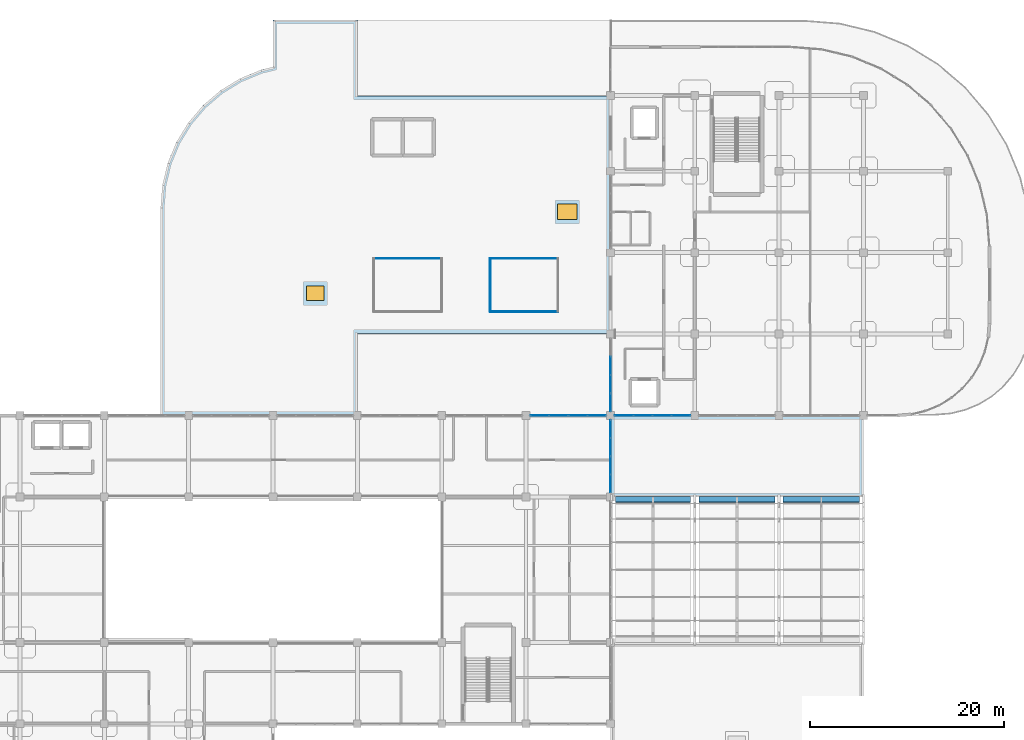
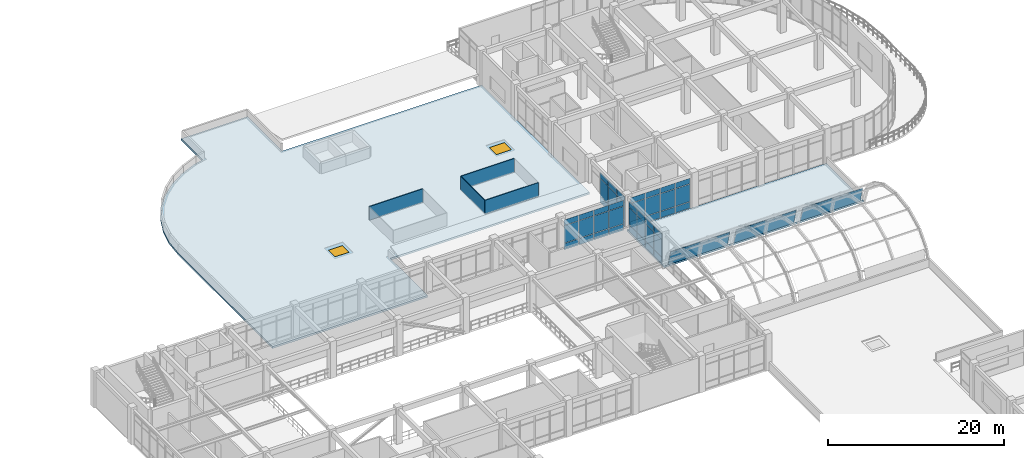
# One storey, part 98 of 124: 52 plates, 2 slabs, 2 windows, 2 openings, 4 elements without a shape of their own.
"""IFC4 building model written with IfcOpenShell, lengths in metres."""

from ifc_helpers import new_model, si_unit, derived_unit, direction, frame, origin, origin_2d, place, context, subcontext, project, spatial, polyline, rectangle, outline, extrude, material, layer, layer_set, type_object, element, fill, aggregate, save


model = new_model("IFC4")

# Units and contexts
model_context = context("Model", 3, precision=1e-05, world=origin(), true_north=direction((0.0, 1.0)))
body_context = subcontext(model_context, "Body", "Model", "MODEL_VIEW")
ifc_project = project(units=[si_unit("LENGTHUNIT", "METRE"), si_unit("AREAUNIT", "SQUARE_METRE"), si_unit("VOLUMEUNIT", "CUBIC_METRE"), si_unit("PLANEANGLEUNIT", "RADIAN"), si_unit("MASSUNIT", "GRAM", prefix="KILO"), derived_unit("THERMALTRANSMITTANCEUNIT", [(si_unit("MASSUNIT", "GRAM", prefix="KILO"), 1), (si_unit("TIMEUNIT", "SECOND"), -3), (si_unit("THERMODYNAMICTEMPERATUREUNIT", "KELVIN"), -1)])], contexts=[model_context])

# Site, building, storey
site_placement = place(None, origin())
site = spatial("IfcSite", under=ifc_project, at=site_placement, CompositionType="ELEMENT")
building_placement = place(site_placement, origin())
building = spatial("IfcBuilding", under=site, at=building_placement, Name="Qinzheling Arcade Emporium", CompositionType="ELEMENT")
storey_placement = place(building_placement, frame((0.0, 0.0, 16.5)))
storey = spatial("IfcBuildingStorey", under=building, at=storey_placement, Name="L04", CompositionType="ELEMENT", Elevation=16.5)

# Plates
ifc_material_1 = material(Name="Mineral-wool-lined perforated aluminium acoustic panel", Category="aluminium")
ifc_layer_1 = layer(ifc_material_1, 0.074951171875, Name="Mineral-wool-lined perforated aluminium acoustic panel", Category="aluminium")
ifc_layer_set_1 = layer_set([ifc_layer_1], Name="Mineral-wool-lined perforated aluminium acoustic panel")
plate_type_1 = type_object("IfcPlateType", Name="Acoustic Roof Plant Screen Panel 75mm", PredefinedType="USERDEFINED", material=ifc_layer_set_1)
plate_1_placement = place(storey_placement, frame((95.5, 84.5, 0.0), z_axis=(0.0, 0.0, 1.0), x_axis=(1.0, 0.0, 0.0)))
element("IfcPlate", 1, at=plate_1_placement, inside=storey, type_object=plate_type_1, Name="Acoustic Plant Screen PLT-APS-L04-05", ObjectType="PLANT_SCREEN", PredefinedType="USERDEFINED", context=body_context, shape_type="SweptSolid", body=[
    extrude(rectangle(XDim=7.0, YDim=0.074951171875, at=origin_2d()), origin(), (0.0, 0.0, 1.0), 1.89990234375),
])
ifc_layer_2 = layer(ifc_material_1, 0.0849609375, Name="Mineral-wool-lined perforated aluminium acoustic panel", Category="aluminium")
ifc_layer_set_2 = layer_set([ifc_layer_2], Name="Mineral-wool-lined perforated aluminium acoustic panel")
plate_type_2 = type_object("IfcPlateType", Name="Acoustic Roof Plant Screen Panel 85mm", PredefinedType="USERDEFINED", material=ifc_layer_set_2)
for number, where, z_axis, x_axis, name in (
    (2, (83.5, 90.0, 0.0), (0.0, 0.0, 1.0), (1.0, 0.0, 0.0), "Acoustic Plant Screen PLT-APS-L04-02"),
    (3, (95.5, 90.0, 0.0), (0.0, 0.0, 1.0), (1.0, 0.0, 0.0), "Acoustic Plant Screen PLT-APS-L04-06"),
):
    element("IfcPlate", number, at=place(storey_placement, frame(where, z_axis=z_axis, x_axis=x_axis)), inside=storey, type_object=plate_type_2, Name=name, ObjectType="PLANT_SCREEN", PredefinedType="USERDEFINED", context=body_context, shape_type="SweptSolid", body=[
        extrude(rectangle(XDim=7.0, YDim=0.0849609375, at=origin_2d()), origin(), (0.0, 0.0, 1.0), 1.89990234375),
    ])
ifc_layer_3 = layer(ifc_material_1, 0.094970703125, Name="Mineral-wool-lined perforated aluminium acoustic panel", Category="aluminium")
ifc_layer_set_3 = layer_set([ifc_layer_3], Name="Mineral-wool-lined perforated aluminium acoustic panel")
plate_type_3 = type_object("IfcPlateType", Name="Acoustic Roof Plant Screen Panel 95mm", PredefinedType="USERDEFINED", material=ifc_layer_set_3)
plate_2_placement = place(storey_placement, frame((92.0, 87.25, 0.0), z_axis=(0.0, 0.0, 1.0), x_axis=(0.0, 1.0, 0.0)))
element("IfcPlate", 4, at=plate_2_placement, inside=storey, type_object=plate_type_3, Name="Acoustic Plant Screen PLT-APS-L04-07", ObjectType="PLANT_SCREEN", PredefinedType="USERDEFINED", context=body_context, shape_type="SweptSolid", body=[
    extrude(rectangle(XDim=5.5, YDim=0.094970703125, at=origin_2d()), origin(), (0.0, 0.0, 1.0), 1.89990234375),
])
ifc_material_2 = material(Name="Ceramic-fritted laminated skylight glass", Category="glass")
ifc_layer_4 = layer(ifc_material_2, 0.032958984375, Name="Ceramic-fritted laminated skylight glass", Category="glass")
ifc_layer_set_4 = layer_set([ifc_layer_4], Name="Ceramic-fritted laminated skylight glass")
plate_type_4 = type_object("IfcPlateType", Name="Barrel Vault Skylight Roof Panel 33mm", PredefinedType="USERDEFINED", material=ifc_layer_set_4)
plate_3_placement = place(storey_placement, frame((104.93994140625, 64.861083984375, 2.15087890625), z_axis=(0.0, 0.966304342063, 0.257402250398), x_axis=(1.0, 0.0, 0.0)))
element("IfcPlate", 5, at=plate_3_placement, inside=storey, type_object=plate_type_4, Name="Barrel Vault Skylight Roof Panel SKP-ARCADE-B01-S08", ObjectType="SKYLIGHT_PANEL", PredefinedType="USERDEFINED", context=body_context, shape_type="SweptSolid", body=[
    extrude(outline(polyline([(0.0, 0.0), (7.739990234375, 0.0), (7.739990234375, 2.217543865165663), (0.0, 2.217543865165663), (0.0, 0.0)])), origin(), (0.0, 0.0, -1.0), 0.032958984375),
])
plate_4_placement = place(storey_placement, frame((113.52001953125, 64.861083984375, 2.15087890625), z_axis=(0.0, 0.966304342063, 0.257402250398), x_axis=(1.0, 0.0, 0.0)))
element("IfcPlate", 6, at=plate_4_placement, inside=storey, type_object=plate_type_4, Name="Barrel Vault Skylight Roof Panel SKP-ARCADE-B02-S08", ObjectType="SKYLIGHT_PANEL", PredefinedType="USERDEFINED", context=body_context, shape_type="SweptSolid", body=[
    extrude(outline(polyline([(0.0, 0.0), (7.85986328125, 0.0), (7.85986328125, 2.217543865165663), (0.0, 2.217543865165663), (0.0, 0.0)])), origin(), (0.0, 0.0, -1.0), 0.032958984375),
])
plate_5_placement = place(storey_placement, frame((122.219970703125, 64.861083984375, 2.15087890625), z_axis=(0.0, 0.966304342063, 0.257402250398), x_axis=(1.0, 0.0, 0.0)))
element("IfcPlate", 7, at=plate_5_placement, inside=storey, type_object=plate_type_4, Name="Barrel Vault Skylight Roof Panel SKP-ARCADE-B03-S08", ObjectType="SKYLIGHT_PANEL", PredefinedType="USERDEFINED", context=body_context, shape_type="SweptSolid", body=[
    extrude(outline(polyline([(0.0, 0.0), (7.860107421875, 0.0), (7.860107421875, 2.217543865165663), (0.0, 2.217543865165663), (0.0, 0.0)])), origin(), (0.0, 0.0, -1.0), 0.032958984375),
])

# Slab
ifc_material_3 = material(Name="Concrete C40", Category="concrete")
ifc_layer_5 = layer(ifc_material_3, 0.239990234375, Name="Concrete C40", Category="concrete")
ifc_layer_set_5 = layer_set([ifc_layer_5], Name="Concrete C40")
slab_type_1 = type_object("IfcSlabType", Name="Insulated Flat Roof Slab 240 C40", PredefinedType="ROOF", material=ifc_layer_set_5)
slab_1_placement = place(storey_placement, frame((0.0, 0.0, -0.239990234375)))
element("IfcSlab", 8, at=slab_1_placement, inside=storey, type_object=slab_type_1, Name="Roof Slab SLB-RF-V3N", PredefinedType="ROOF", context=body_context, shape_type="SweptSolid", body=[
    extrude(outline(polyline([(130.5, 65.39990234375), (130.5, 73.800048828125), (104.39990234375, 73.800048828125), (104.39990234375, 65.39990234375), (130.5, 65.39990234375)])), origin(), (0.0, 0.0, 1.0), 0.239990234375),
])

# Slab, openings, windows
ifc_layer_6 = layer(ifc_material_3, 0.260009765625, Name="Concrete C40", Category="concrete")
ifc_layer_set_6 = layer_set([ifc_layer_6], Name="Concrete C40")
slab_type_2 = type_object("IfcSlabType", Name="Logistics Acoustic Roof Slab 260 C40", PredefinedType="ROOF", material=ifc_layer_set_6)
slab_2_placement = place(storey_placement, frame((0.0, 0.0, -0.260009765625)))
slab_2 = element("IfcSlab", 9, at=slab_2_placement, inside=storey, type_object=slab_type_2, Name="Roof Slab SLB-RF-V5", PredefinedType="ROOF", context=body_context, shape_type="SweptSolid", body=[
    extrude(outline(polyline([(78.300048828125, 73.800048828125), (78.300048828125, 82.25), (104.39990234375, 82.25), (104.39990234375, 106.75), (78.300048828125, 106.75), (78.300048828125, 114.60009765625), (69.60009765625, 114.60009765625), (69.60009765625, 109.761962890625), (68.364990234375, 109.466064453125), (66.18994140625, 108.56494140625), (64.18310546875, 107.3349609375), (62.39306640625, 105.806884765625), (60.864990234375, 104.01708984375), (59.635009765625, 102.010009765625), (58.73388671875, 99.8349609375), (58.18505859375, 97.547119140625), (58.0, 95.199951171875), (58.0, 73.800048828125), (69.60009765625, 73.800048828125), (78.300048828125, 73.800048828125)])), origin(), (0.0, 0.0, 1.0), 0.260009765625),
])
opening_1_placement = place(slab_2_placement, frame((73.949951171875, 86.39990234375, -0.010009765625)))
opening_1 = element("IfcOpeningElement", 10, at=opening_1_placement, cuts=slab_2, Name="Opening RH03", PredefinedType="OPENING", context=body_context, shape_type="SweptSolid", body=[
    extrude(rectangle(XDim=1.800048828125, YDim=1.5, at=origin_2d()), origin(), (0.0, 0.0, 1.0), 0.280029296875),
])
opening_2_placement = place(slab_2_placement, frame((99.949951171875, 94.800048828125, -0.010009765625)))
opening_2 = element("IfcOpeningElement", 11, at=opening_2_placement, cuts=slab_2, Name="Opening RH04", PredefinedType="OPENING", context=body_context, shape_type="SweptSolid", body=[
    extrude(rectangle(XDim=2.0, YDim=1.60009765625, at=origin_2d()), origin(), (0.0, 0.0, 1.0), 0.280029296875),
])
ifc_material_4 = material(Name="Insulated aluminium skylight hatch", Category="aluminium")
window_type_1 = type_object("IfcWindowType", Name="Insulated Roof Smoke and Access Hatch 1800x1500", PartitioningType="SINGLE_PANEL", PredefinedType="SKYLIGHT", material=ifc_material_4)
window_1_placement = place(opening_1_placement, frame((0.0, 0.0, 0.219970703125)))
window_1 = element("IfcWindow", 12, at=window_1_placement, inside=storey, type_object=window_type_1, Name="RH03 Roof Hatch RHT-L04-02", OverallHeight=1.5, OverallWidth=1.800048828125, PartitioningType="SINGLE_PANEL", PredefinedType="SKYLIGHT", context=body_context, shape_type="SweptSolid", body=[
    extrude(rectangle(XDim=1.800048828125, YDim=1.5, at=origin_2d()), origin(), (0.0, 0.0, 1.0), 0.050048828125),
])
fill(opening_1, window_1)
window_type_2 = type_object("IfcWindowType", Name="Insulated Roof Smoke and Access Hatch 2000x1600", PartitioningType="SINGLE_PANEL", PredefinedType="SKYLIGHT", material=ifc_material_4)
window_2_placement = place(opening_2_placement, frame((0.0, 0.0, 0.219970703125)))
window_2 = element("IfcWindow", 13, at=window_2_placement, inside=storey, type_object=window_type_2, Name="RH04 Roof Hatch RHT-L04-03", OverallHeight=1.60009765625, OverallWidth=2.0, PartitioningType="SINGLE_PANEL", PredefinedType="SKYLIGHT", context=body_context, shape_type="SweptSolid", body=[
    extrude(rectangle(XDim=2.0, YDim=1.60009765625, at=origin_2d()), origin(), (0.0, 0.0, 1.0), 0.050048828125),
])
fill(opening_2, window_2)

# Curtain wall, plates
ifc_material_5 = material(Name="Anodised aluminium and solar-control double glazing", Category="aluminium")
ifc_layer_7 = layer(ifc_material_5, 0.159912109375, Name="Anodised aluminium and solar-control double glazing", Category="aluminium")
ifc_layer_set_7 = layer_set([ifc_layer_7], Name="Anodised aluminium and solar-control double glazing")
curtain_wall_type_1 = type_object("IfcCurtainWallType", Name="Arcade Portal Glazed Curtain Wall", PredefinedType="NOTDEFINED", material=ifc_layer_set_7)
curtain_wall_1_placement = place(storey_placement, origin())
curtain_wall_1 = element("IfcCurtainWall", 14, at=curtain_wall_1_placement, inside=storey, type_object=curtain_wall_type_1, Name="Curtain Wall CW-L04-285", PredefinedType="NOTDEFINED")
ifc_material_6 = material(Name="Laminated solar-control double glazing", Category="glass")
ifc_layer_8 = layer(ifc_material_6, 0.02099609375, Name="Laminated solar-control double glazing", Category="glass")
ifc_layer_set_8 = layer_set([ifc_layer_8], Name="Laminated solar-control double glazing")
plate_type_5 = type_object("IfcPlateType", Name="Low-E Double Glazed Curtain Panel 21mm", PredefinedType="CURTAIN_PANEL", material=ifc_layer_set_8)
plate_6_placement = place(storey_placement, frame((111.696044921875, 73.800048828125, 0.06005859375), z_axis=(0.0, 0.0, 1.0), x_axis=(-1.0, 0.0, 0.0)))
plate_6 = element("IfcPlate", 15, at=plate_6_placement, type_object=plate_type_5, Name="CW05 panel 1.1", PredefinedType="CURTAIN_PANEL", context=body_context, shape_type="SweptSolid", body=[
    extrude(rectangle(XDim=1.884033203125, YDim=0.02099609375, at=origin_2d()), origin(), (0.0, 0.0, 1.0), 0.860107421875),
])
plate_7_placement = place(storey_placement, frame((111.696044921875, 73.800048828125, 0.97998046875), z_axis=(0.0, 0.0, 1.0), x_axis=(-1.0, 0.0, 0.0)))
plate_7 = element("IfcPlate", 16, at=plate_7_placement, type_object=plate_type_5, Name="CW05 panel 1.2", PredefinedType="CURTAIN_PANEL", context=body_context, shape_type="SweptSolid", body=[
    extrude(rectangle(XDim=1.884033203125, YDim=0.02099609375, at=origin_2d()), origin(), (0.0, 0.0, 1.0), 2.409912109375),
])
plate_8_placement = place(storey_placement, frame((111.696044921875, 73.800048828125, 3.4501953125), z_axis=(0.0, 0.0, 1.0), x_axis=(-1.0, 0.0, 0.0)))
plate_8 = element("IfcPlate", 17, at=plate_8_placement, type_object=plate_type_5, Name="CW05 panel 1.3", PredefinedType="CURTAIN_PANEL", context=body_context, shape_type="SweptSolid", body=[
    extrude(rectangle(XDim=1.884033203125, YDim=0.02099609375, at=origin_2d()), origin(), (0.0, 0.0, 1.0), 0.760009765625),
])
plate_9_placement = place(storey_placement, frame((109.737060546875, 73.800048828125, 0.06005859375), z_axis=(0.0, 0.0, 1.0), x_axis=(-1.0, 0.0, 0.0)))
plate_9 = element("IfcPlate", 18, at=plate_9_placement, type_object=plate_type_5, Name="CW05 panel 2.1", PredefinedType="CURTAIN_PANEL", context=body_context, shape_type="SweptSolid", body=[
    extrude(rectangle(XDim=1.9140625, YDim=0.02099609375, at=origin_2d()), origin(), (0.0, 0.0, 1.0), 0.860107421875),
])
plate_10_placement = place(storey_placement, frame((109.737060546875, 73.800048828125, 0.97998046875), z_axis=(0.0, 0.0, 1.0), x_axis=(-1.0, 0.0, 0.0)))
plate_10 = element("IfcPlate", 19, at=plate_10_placement, type_object=plate_type_5, Name="CW05 panel 2.2", PredefinedType="CURTAIN_PANEL", context=body_context, shape_type="SweptSolid", body=[
    extrude(rectangle(XDim=1.9140625, YDim=0.02099609375, at=origin_2d()), origin(), (0.0, 0.0, 1.0), 2.409912109375),
])
plate_11_placement = place(storey_placement, frame((109.737060546875, 73.800048828125, 3.4501953125), z_axis=(0.0, 0.0, 1.0), x_axis=(-1.0, 0.0, 0.0)))
plate_11 = element("IfcPlate", 20, at=plate_11_placement, type_object=plate_type_5, Name="CW05 panel 2.3", PredefinedType="CURTAIN_PANEL", context=body_context, shape_type="SweptSolid", body=[
    extrude(rectangle(XDim=1.9140625, YDim=0.02099609375, at=origin_2d()), origin(), (0.0, 0.0, 1.0), 0.760009765625),
])
plate_12_placement = place(storey_placement, frame((107.762939453125, 73.800048828125, 0.06005859375), z_axis=(0.0, 0.0, 1.0), x_axis=(-1.0, 0.0, 0.0)))
plate_12 = element("IfcPlate", 21, at=plate_12_placement, type_object=plate_type_5, Name="CW05 panel 3.1", PredefinedType="CURTAIN_PANEL", context=body_context, shape_type="SweptSolid", body=[
    extrude(rectangle(XDim=1.9140625, YDim=0.02099609375, at=origin_2d()), origin(), (0.0, 0.0, 1.0), 0.860107421875),
])
plate_13_placement = place(storey_placement, frame((107.762939453125, 73.800048828125, 0.97998046875), z_axis=(0.0, 0.0, 1.0), x_axis=(-1.0, 0.0, 0.0)))
plate_13 = element("IfcPlate", 22, at=plate_13_placement, type_object=plate_type_5, Name="CW05 panel 3.2", PredefinedType="CURTAIN_PANEL", context=body_context, shape_type="SweptSolid", body=[
    extrude(rectangle(XDim=1.9140625, YDim=0.02099609375, at=origin_2d()), origin(), (0.0, 0.0, 1.0), 2.409912109375),
])
plate_14_placement = place(storey_placement, frame((107.762939453125, 73.800048828125, 3.4501953125), z_axis=(0.0, 0.0, 1.0), x_axis=(-1.0, 0.0, 0.0)))
plate_14 = element("IfcPlate", 23, at=plate_14_placement, type_object=plate_type_5, Name="CW05 panel 3.3", PredefinedType="CURTAIN_PANEL", context=body_context, shape_type="SweptSolid", body=[
    extrude(rectangle(XDim=1.9140625, YDim=0.02099609375, at=origin_2d()), origin(), (0.0, 0.0, 1.0), 0.760009765625),
])
plate_15_placement = place(storey_placement, frame((105.803955078125, 73.800048828125, 0.06005859375), z_axis=(0.0, 0.0, 1.0), x_axis=(-1.0, 0.0, 0.0)))
plate_15 = element("IfcPlate", 24, at=plate_15_placement, type_object=plate_type_5, Name="CW05 panel 4.1", PredefinedType="CURTAIN_PANEL", context=body_context, shape_type="SweptSolid", body=[
    extrude(rectangle(XDim=1.884033203125, YDim=0.02099609375, at=origin_2d()), origin(), (0.0, 0.0, 1.0), 0.860107421875),
])
plate_16_placement = place(storey_placement, frame((105.803955078125, 73.800048828125, 0.97998046875), z_axis=(0.0, 0.0, 1.0), x_axis=(-1.0, 0.0, 0.0)))
plate_16 = element("IfcPlate", 25, at=plate_16_placement, type_object=plate_type_5, Name="CW05 panel 4.2", PredefinedType="CURTAIN_PANEL", context=body_context, shape_type="SweptSolid", body=[
    extrude(rectangle(XDim=1.884033203125, YDim=0.02099609375, at=origin_2d()), origin(), (0.0, 0.0, 1.0), 2.409912109375),
])
plate_17_placement = place(storey_placement, frame((105.803955078125, 73.800048828125, 3.4501953125), z_axis=(0.0, 0.0, 1.0), x_axis=(-1.0, 0.0, 0.0)))
plate_17 = element("IfcPlate", 26, at=plate_17_placement, type_object=plate_type_5, Name="CW05 panel 4.3", PredefinedType="CURTAIN_PANEL", context=body_context, shape_type="SweptSolid", body=[
    extrude(rectangle(XDim=1.884033203125, YDim=0.02099609375, at=origin_2d()), origin(), (0.0, 0.0, 1.0), 0.760009765625),
])
aggregate(curtain_wall_1, [plate_6, plate_7, plate_8, plate_9, plate_10, plate_11, plate_12, plate_13, plate_14, plate_15, plate_16, plate_17])

curtain_wall_2_placement = place(storey_placement, origin())
curtain_wall_2 = element("IfcCurtainWall", 27, at=curtain_wall_2_placement, inside=storey, type_object=curtain_wall_type_1, Name="Curtain Wall CW-L04-260", PredefinedType="NOTDEFINED")
ifc_layer_9 = layer(ifc_material_6, 0.029052734375, Name="Laminated solar-control double glazing", Category="glass")
ifc_layer_set_9 = layer_set([ifc_layer_9], Name="Laminated solar-control double glazing")
plate_type_6 = type_object("IfcPlateType", Name="Low-E Double Glazed Curtain Panel 29mm", PredefinedType="CURTAIN_PANEL", material=ifc_layer_set_9)
plate_18_placement = place(storey_placement, frame((104.39990234375, 75.16650390625, 0.06005859375), z_axis=(0.0, 0.0, 1.0), x_axis=(0.0, 1.0, 0.0)))
plate_18 = element("IfcPlate", 28, at=plate_18_placement, type_object=plate_type_6, Name="CW05 panel 1.1", PredefinedType="CURTAIN_PANEL", context=body_context, shape_type="SweptSolid", body=[
    extrude(rectangle(XDim=1.80908203125, YDim=0.029052734375, at=origin_2d()), origin(), (0.0, 0.0, 1.0), 0.860107421875),
])
plate_19_placement = place(storey_placement, frame((104.39990234375, 75.16650390625, 0.97998046875), z_axis=(0.0, 0.0, 1.0), x_axis=(0.0, 1.0, 0.0)))
plate_19 = element("IfcPlate", 29, at=plate_19_placement, type_object=plate_type_6, Name="CW05 panel 1.2", PredefinedType="CURTAIN_PANEL", context=body_context, shape_type="SweptSolid", body=[
    extrude(rectangle(XDim=1.80908203125, YDim=0.029052734375, at=origin_2d()), origin(), (0.0, 0.0, 1.0), 2.409912109375),
])
plate_20_placement = place(storey_placement, frame((104.39990234375, 75.16650390625, 3.4501953125), z_axis=(0.0, 0.0, 1.0), x_axis=(0.0, 1.0, 0.0)))
plate_20 = element("IfcPlate", 30, at=plate_20_placement, type_object=plate_type_6, Name="CW05 panel 1.3", PredefinedType="CURTAIN_PANEL", context=body_context, shape_type="SweptSolid", body=[
    extrude(rectangle(XDim=1.80908203125, YDim=0.029052734375, at=origin_2d()), origin(), (0.0, 0.0, 1.0), 0.760009765625),
])
plate_21_placement = place(storey_placement, frame((104.39990234375, 77.050537109375, 0.06005859375), z_axis=(0.0, 0.0, 1.0), x_axis=(0.0, 1.0, 0.0)))
plate_21 = element("IfcPlate", 31, at=plate_21_placement, type_object=plate_type_6, Name="CW05 panel 2.1", PredefinedType="CURTAIN_PANEL", context=body_context, shape_type="SweptSolid", body=[
    extrude(rectangle(XDim=1.839111328125, YDim=0.029052734375, at=origin_2d()), origin(), (0.0, 0.0, 1.0), 0.860107421875),
])
plate_22_placement = place(storey_placement, frame((104.39990234375, 77.050537109375, 0.97998046875), z_axis=(0.0, 0.0, 1.0), x_axis=(0.0, 1.0, 0.0)))
plate_22 = element("IfcPlate", 32, at=plate_22_placement, type_object=plate_type_6, Name="CW05 panel 2.2", PredefinedType="CURTAIN_PANEL", context=body_context, shape_type="SweptSolid", body=[
    extrude(rectangle(XDim=1.839111328125, YDim=0.029052734375, at=origin_2d()), origin(), (0.0, 0.0, 1.0), 2.409912109375),
])
plate_23_placement = place(storey_placement, frame((104.39990234375, 77.050537109375, 3.4501953125), z_axis=(0.0, 0.0, 1.0), x_axis=(0.0, 1.0, 0.0)))
plate_23 = element("IfcPlate", 33, at=plate_23_placement, type_object=plate_type_6, Name="CW05 panel 2.3", PredefinedType="CURTAIN_PANEL", context=body_context, shape_type="SweptSolid", body=[
    extrude(rectangle(XDim=1.839111328125, YDim=0.029052734375, at=origin_2d()), origin(), (0.0, 0.0, 1.0), 0.760009765625),
])
plate_24_placement = place(storey_placement, frame((104.39990234375, 78.949462890625, 0.06005859375), z_axis=(0.0, 0.0, 1.0), x_axis=(0.0, 1.0, 0.0)))
plate_24 = element("IfcPlate", 34, at=plate_24_placement, type_object=plate_type_6, Name="CW05 panel 3.1", PredefinedType="CURTAIN_PANEL", context=body_context, shape_type="SweptSolid", body=[
    extrude(rectangle(XDim=1.839111328125, YDim=0.029052734375, at=origin_2d()), origin(), (0.0, 0.0, 1.0), 0.860107421875),
])
plate_25_placement = place(storey_placement, frame((104.39990234375, 78.949462890625, 0.97998046875), z_axis=(0.0, 0.0, 1.0), x_axis=(0.0, 1.0, 0.0)))
plate_25 = element("IfcPlate", 35, at=plate_25_placement, type_object=plate_type_6, Name="CW05 panel 3.2", PredefinedType="CURTAIN_PANEL", context=body_context, shape_type="SweptSolid", body=[
    extrude(rectangle(XDim=1.839111328125, YDim=0.029052734375, at=origin_2d()), origin(), (0.0, 0.0, 1.0), 2.409912109375),
])
plate_26_placement = place(storey_placement, frame((104.39990234375, 78.949462890625, 3.4501953125), z_axis=(0.0, 0.0, 1.0), x_axis=(0.0, 1.0, 0.0)))
plate_26 = element("IfcPlate", 36, at=plate_26_placement, type_object=plate_type_6, Name="CW05 panel 3.3", PredefinedType="CURTAIN_PANEL", context=body_context, shape_type="SweptSolid", body=[
    extrude(rectangle(XDim=1.839111328125, YDim=0.029052734375, at=origin_2d()), origin(), (0.0, 0.0, 1.0), 0.760009765625),
])
aggregate(curtain_wall_2, [plate_18, plate_19, plate_20, plate_21, plate_22, plate_23, plate_24, plate_25, plate_26])

ifc_layer_10 = layer(ifc_material_5, 0.159912109375, Name="Anodised aluminium and solar-control double glazing", Category="aluminium")
ifc_layer_set_10 = layer_set([ifc_layer_10], Name="Anodised aluminium and solar-control double glazing")
curtain_wall_type_2 = type_object("IfcCurtainWallType", Name="Atrium Clerestory Curtain Wall", PredefinedType="NOTDEFINED", material=ifc_layer_set_10)
curtain_wall_3_placement = place(storey_placement, origin())
curtain_wall_3 = element("IfcCurtainWall", 37, at=curtain_wall_3_placement, inside=storey, type_object=curtain_wall_type_2, Name="Curtain Wall CW-L04-249", PredefinedType="NOTDEFINED")
ifc_layer_11 = layer(ifc_material_6, 0.035888671875, Name="Laminated solar-control double glazing", Category="glass")
ifc_layer_set_11 = layer_set([ifc_layer_11], Name="Laminated solar-control double glazing")
plate_type_7 = type_object("IfcPlateType", Name="Low-E Double Glazed Curtain Panel 36mm", PredefinedType="CURTAIN_PANEL", material=ifc_layer_set_11)
plate_27_placement = place(storey_placement, frame((97.10400390625, 73.800048828125, 0.06005859375), z_axis=(0.0, 0.0, 1.0), x_axis=(1.0, 0.0, 0.0)))
plate_27 = element("IfcPlate", 38, at=plate_27_placement, type_object=plate_type_7, Name="CW03 panel 1.1", PredefinedType="CURTAIN_PANEL", context=body_context, shape_type="SweptSolid", body=[
    extrude(rectangle(XDim=1.884033203125, YDim=0.035888671875, at=origin_2d()), origin(), (0.0, 0.0, 1.0), 0.860107421875),
])
plate_28_placement = place(storey_placement, frame((97.10400390625, 73.800048828125, 0.97998046875), z_axis=(0.0, 0.0, 1.0), x_axis=(1.0, 0.0, 0.0)))
plate_28 = element("IfcPlate", 39, at=plate_28_placement, type_object=plate_type_7, Name="CW03 panel 1.2", PredefinedType="CURTAIN_PANEL", context=body_context, shape_type="SweptSolid", body=[
    extrude(rectangle(XDim=1.884033203125, YDim=0.035888671875, at=origin_2d()), origin(), (0.0, 0.0, 1.0), 2.39501953125),
])
plate_29_placement = place(storey_placement, frame((97.10400390625, 73.800048828125, 3.43505859375), z_axis=(0.0, 0.0, 1.0), x_axis=(1.0, 0.0, 0.0)))
plate_29 = element("IfcPlate", 40, at=plate_29_placement, type_object=plate_type_7, Name="CW03 panel 1.3", PredefinedType="CURTAIN_PANEL", context=body_context, shape_type="SweptSolid", body=[
    extrude(rectangle(XDim=1.884033203125, YDim=0.035888671875, at=origin_2d()), origin(), (0.0, 0.0, 1.0), 0.760009765625),
])
plate_30_placement = place(storey_placement, frame((99.06298828125, 73.800048828125, 0.06005859375), z_axis=(0.0, 0.0, 1.0), x_axis=(1.0, 0.0, 0.0)))
plate_30 = element("IfcPlate", 41, at=plate_30_placement, type_object=plate_type_7, Name="CW03 panel 2.1", PredefinedType="CURTAIN_PANEL", context=body_context, shape_type="SweptSolid", body=[
    extrude(rectangle(XDim=1.9140625, YDim=0.035888671875, at=origin_2d()), origin(), (0.0, 0.0, 1.0), 0.860107421875),
])
plate_31_placement = place(storey_placement, frame((99.06298828125, 73.800048828125, 0.97998046875), z_axis=(0.0, 0.0, 1.0), x_axis=(1.0, 0.0, 0.0)))
plate_31 = element("IfcPlate", 42, at=plate_31_placement, type_object=plate_type_7, Name="CW03 panel 2.2", PredefinedType="CURTAIN_PANEL", context=body_context, shape_type="SweptSolid", body=[
    extrude(rectangle(XDim=1.9140625, YDim=0.035888671875, at=origin_2d()), origin(), (0.0, 0.0, 1.0), 2.39501953125),
])
plate_32_placement = place(storey_placement, frame((99.06298828125, 73.800048828125, 3.43505859375), z_axis=(0.0, 0.0, 1.0), x_axis=(1.0, 0.0, 0.0)))
plate_32 = element("IfcPlate", 43, at=plate_32_placement, type_object=plate_type_7, Name="CW03 panel 2.3", PredefinedType="CURTAIN_PANEL", context=body_context, shape_type="SweptSolid", body=[
    extrude(rectangle(XDim=1.9140625, YDim=0.035888671875, at=origin_2d()), origin(), (0.0, 0.0, 1.0), 0.760009765625),
])
plate_33_placement = place(storey_placement, frame((101.037109375, 73.800048828125, 0.06005859375), z_axis=(0.0, 0.0, 1.0), x_axis=(1.0, 0.0, 0.0)))
plate_33 = element("IfcPlate", 44, at=plate_33_placement, type_object=plate_type_7, Name="CW03 panel 3.1", PredefinedType="CURTAIN_PANEL", context=body_context, shape_type="SweptSolid", body=[
    extrude(rectangle(XDim=1.9140625, YDim=0.035888671875, at=origin_2d()), origin(), (0.0, 0.0, 1.0), 0.860107421875),
])
plate_34_placement = place(storey_placement, frame((101.037109375, 73.800048828125, 0.97998046875), z_axis=(0.0, 0.0, 1.0), x_axis=(1.0, 0.0, 0.0)))
plate_34 = element("IfcPlate", 45, at=plate_34_placement, type_object=plate_type_7, Name="CW03 panel 3.2", PredefinedType="CURTAIN_PANEL", context=body_context, shape_type="SweptSolid", body=[
    extrude(rectangle(XDim=1.9140625, YDim=0.035888671875, at=origin_2d()), origin(), (0.0, 0.0, 1.0), 2.39501953125),
])
plate_35_placement = place(storey_placement, frame((101.037109375, 73.800048828125, 3.43505859375), z_axis=(0.0, 0.0, 1.0), x_axis=(1.0, 0.0, 0.0)))
plate_35 = element("IfcPlate", 46, at=plate_35_placement, type_object=plate_type_7, Name="CW03 panel 3.3", PredefinedType="CURTAIN_PANEL", context=body_context, shape_type="SweptSolid", body=[
    extrude(rectangle(XDim=1.9140625, YDim=0.035888671875, at=origin_2d()), origin(), (0.0, 0.0, 1.0), 0.760009765625),
])
plate_36_placement = place(storey_placement, frame((102.99609375, 73.800048828125, 0.06005859375), z_axis=(0.0, 0.0, 1.0), x_axis=(1.0, 0.0, 0.0)))
plate_36 = element("IfcPlate", 47, at=plate_36_placement, type_object=plate_type_7, Name="CW03 panel 4.1", PredefinedType="CURTAIN_PANEL", context=body_context, shape_type="SweptSolid", body=[
    extrude(rectangle(XDim=1.884033203125, YDim=0.035888671875, at=origin_2d()), origin(), (0.0, 0.0, 1.0), 0.860107421875),
])
plate_37_placement = place(storey_placement, frame((102.99609375, 73.800048828125, 0.97998046875), z_axis=(0.0, 0.0, 1.0), x_axis=(1.0, 0.0, 0.0)))
plate_37 = element("IfcPlate", 48, at=plate_37_placement, type_object=plate_type_7, Name="CW03 panel 4.2", PredefinedType="CURTAIN_PANEL", context=body_context, shape_type="SweptSolid", body=[
    extrude(rectangle(XDim=1.884033203125, YDim=0.035888671875, at=origin_2d()), origin(), (0.0, 0.0, 1.0), 2.39501953125),
])
plate_38_placement = place(storey_placement, frame((102.99609375, 73.800048828125, 3.43505859375), z_axis=(0.0, 0.0, 1.0), x_axis=(1.0, 0.0, 0.0)))
plate_38 = element("IfcPlate", 49, at=plate_38_placement, type_object=plate_type_7, Name="CW03 panel 4.3", PredefinedType="CURTAIN_PANEL", context=body_context, shape_type="SweptSolid", body=[
    extrude(rectangle(XDim=1.884033203125, YDim=0.035888671875, at=origin_2d()), origin(), (0.0, 0.0, 1.0), 0.760009765625),
])
aggregate(curtain_wall_3, [plate_27, plate_28, plate_29, plate_30, plate_31, plate_32, plate_33, plate_34, plate_35, plate_36, plate_37, plate_38])

curtain_wall_4_placement = place(storey_placement, origin())
curtain_wall_4 = element("IfcCurtainWall", 50, at=curtain_wall_4_placement, inside=storey, type_object=curtain_wall_type_2, Name="Curtain Wall CW-L04-250", PredefinedType="NOTDEFINED")
ifc_layer_12 = layer(ifc_material_6, 0.0380859375, Name="Laminated solar-control double glazing", Category="glass")
ifc_layer_set_12 = layer_set([ifc_layer_12], Name="Laminated solar-control double glazing")
plate_type_8 = type_object("IfcPlateType", Name="Low-E Double Glazed Curtain Panel 38mm", PredefinedType="CURTAIN_PANEL", material=ifc_layer_set_12)
plate_39_placement = place(storey_placement, frame((104.39990234375, 72.43359375, 0.06005859375), z_axis=(0.0, 0.0, 1.0), x_axis=(0.0, -1.0, 0.0)))
plate_39 = element("IfcPlate", 51, at=plate_39_placement, type_object=plate_type_8, Name="CW03 panel 1.1", PredefinedType="CURTAIN_PANEL", context=body_context, shape_type="SweptSolid", body=[
    extrude(rectangle(XDim=1.80908203125, YDim=0.0380859375, at=origin_2d()), origin(), (0.0, 0.0, 1.0), 0.860107421875),
])
plate_40_placement = place(storey_placement, frame((104.39990234375, 72.43359375, 0.97998046875), z_axis=(0.0, 0.0, 1.0), x_axis=(0.0, -1.0, 0.0)))
plate_40 = element("IfcPlate", 52, at=plate_40_placement, type_object=plate_type_8, Name="CW03 panel 1.2", PredefinedType="CURTAIN_PANEL", context=body_context, shape_type="SweptSolid", body=[
    extrude(rectangle(XDim=1.80908203125, YDim=0.0380859375, at=origin_2d()), origin(), (0.0, 0.0, 1.0), 2.39501953125),
])
plate_41_placement = place(storey_placement, frame((104.39990234375, 72.43359375, 3.43505859375), z_axis=(0.0, 0.0, 1.0), x_axis=(0.0, -1.0, 0.0)))
plate_41 = element("IfcPlate", 53, at=plate_41_placement, type_object=plate_type_8, Name="CW03 panel 1.3", PredefinedType="CURTAIN_PANEL", context=body_context, shape_type="SweptSolid", body=[
    extrude(rectangle(XDim=1.80908203125, YDim=0.0380859375, at=origin_2d()), origin(), (0.0, 0.0, 1.0), 0.760009765625),
])
plate_42_placement = place(storey_placement, frame((104.39990234375, 70.549560546875, 0.06005859375), z_axis=(0.0, 0.0, 1.0), x_axis=(0.0, -1.0, 0.0)))
plate_42 = element("IfcPlate", 54, at=plate_42_placement, type_object=plate_type_8, Name="CW03 panel 2.1", PredefinedType="CURTAIN_PANEL", context=body_context, shape_type="SweptSolid", body=[
    extrude(rectangle(XDim=1.839111328125, YDim=0.0380859375, at=origin_2d()), origin(), (0.0, 0.0, 1.0), 0.860107421875),
])
plate_43_placement = place(storey_placement, frame((104.39990234375, 70.549560546875, 0.97998046875), z_axis=(0.0, 0.0, 1.0), x_axis=(0.0, -1.0, 0.0)))
plate_43 = element("IfcPlate", 55, at=plate_43_placement, type_object=plate_type_8, Name="CW03 panel 2.2", PredefinedType="CURTAIN_PANEL", context=body_context, shape_type="SweptSolid", body=[
    extrude(rectangle(XDim=1.839111328125, YDim=0.0380859375, at=origin_2d()), origin(), (0.0, 0.0, 1.0), 2.39501953125),
])
plate_44_placement = place(storey_placement, frame((104.39990234375, 70.549560546875, 3.43505859375), z_axis=(0.0, 0.0, 1.0), x_axis=(0.0, -1.0, 0.0)))
plate_44 = element("IfcPlate", 56, at=plate_44_placement, type_object=plate_type_8, Name="CW03 panel 2.3", PredefinedType="CURTAIN_PANEL", context=body_context, shape_type="SweptSolid", body=[
    extrude(rectangle(XDim=1.839111328125, YDim=0.0380859375, at=origin_2d()), origin(), (0.0, 0.0, 1.0), 0.760009765625),
])
plate_45_placement = place(storey_placement, frame((104.39990234375, 68.650390625, 0.06005859375), z_axis=(0.0, 0.0, 1.0), x_axis=(0.0, -1.0, 0.0)))
plate_45 = element("IfcPlate", 57, at=plate_45_placement, type_object=plate_type_8, Name="CW03 panel 3.1", PredefinedType="CURTAIN_PANEL", context=body_context, shape_type="SweptSolid", body=[
    extrude(rectangle(XDim=1.839111328125, YDim=0.0380859375, at=origin_2d()), origin(), (0.0, 0.0, 1.0), 0.860107421875),
])
plate_46_placement = place(storey_placement, frame((104.39990234375, 68.650390625, 0.97998046875), z_axis=(0.0, 0.0, 1.0), x_axis=(0.0, -1.0, 0.0)))
plate_46 = element("IfcPlate", 58, at=plate_46_placement, type_object=plate_type_8, Name="CW03 panel 3.2", PredefinedType="CURTAIN_PANEL", context=body_context, shape_type="SweptSolid", body=[
    extrude(rectangle(XDim=1.839111328125, YDim=0.0380859375, at=origin_2d()), origin(), (0.0, 0.0, 1.0), 2.39501953125),
])
plate_47_placement = place(storey_placement, frame((104.39990234375, 68.650390625, 3.43505859375), z_axis=(0.0, 0.0, 1.0), x_axis=(0.0, -1.0, 0.0)))
plate_47 = element("IfcPlate", 59, at=plate_47_placement, type_object=plate_type_8, Name="CW03 panel 3.3", PredefinedType="CURTAIN_PANEL", context=body_context, shape_type="SweptSolid", body=[
    extrude(rectangle(XDim=1.839111328125, YDim=0.0380859375, at=origin_2d()), origin(), (0.0, 0.0, 1.0), 0.760009765625),
])
plate_48_placement = place(storey_placement, frame((104.39990234375, 66.7666015625, 0.06005859375), z_axis=(0.0, 0.0, 1.0), x_axis=(0.0, -1.0, 0.0)))
plate_48 = element("IfcPlate", 60, at=plate_48_placement, type_object=plate_type_8, Name="CW03 panel 4.1", PredefinedType="CURTAIN_PANEL", context=body_context, shape_type="SweptSolid", body=[
    extrude(rectangle(XDim=1.80908203125, YDim=0.0380859375, at=origin_2d()), origin(), (0.0, 0.0, 1.0), 0.860107421875),
])
plate_49_placement = place(storey_placement, frame((104.39990234375, 66.7666015625, 0.97998046875), z_axis=(0.0, 0.0, 1.0), x_axis=(0.0, -1.0, 0.0)))
plate_49 = element("IfcPlate", 61, at=plate_49_placement, type_object=plate_type_8, Name="CW03 panel 4.2", PredefinedType="CURTAIN_PANEL", context=body_context, shape_type="SweptSolid", body=[
    extrude(rectangle(XDim=1.80908203125, YDim=0.0380859375, at=origin_2d()), origin(), (0.0, 0.0, 1.0), 2.39501953125),
])
plate_50_placement = place(storey_placement, frame((104.39990234375, 66.7666015625, 3.43505859375), z_axis=(0.0, 0.0, 1.0), x_axis=(0.0, -1.0, 0.0)))
plate_50 = element("IfcPlate", 62, at=plate_50_placement, type_object=plate_type_8, Name="CW03 panel 4.3", PredefinedType="CURTAIN_PANEL", context=body_context, shape_type="SweptSolid", body=[
    extrude(rectangle(XDim=1.80908203125, YDim=0.0380859375, at=origin_2d()), origin(), (0.0, 0.0, 1.0), 0.760009765625),
])
aggregate(curtain_wall_4, [plate_39, plate_40, plate_41, plate_42, plate_43, plate_44, plate_45, plate_46, plate_47, plate_48, plate_49, plate_50])

save(model, "model.ifc")
